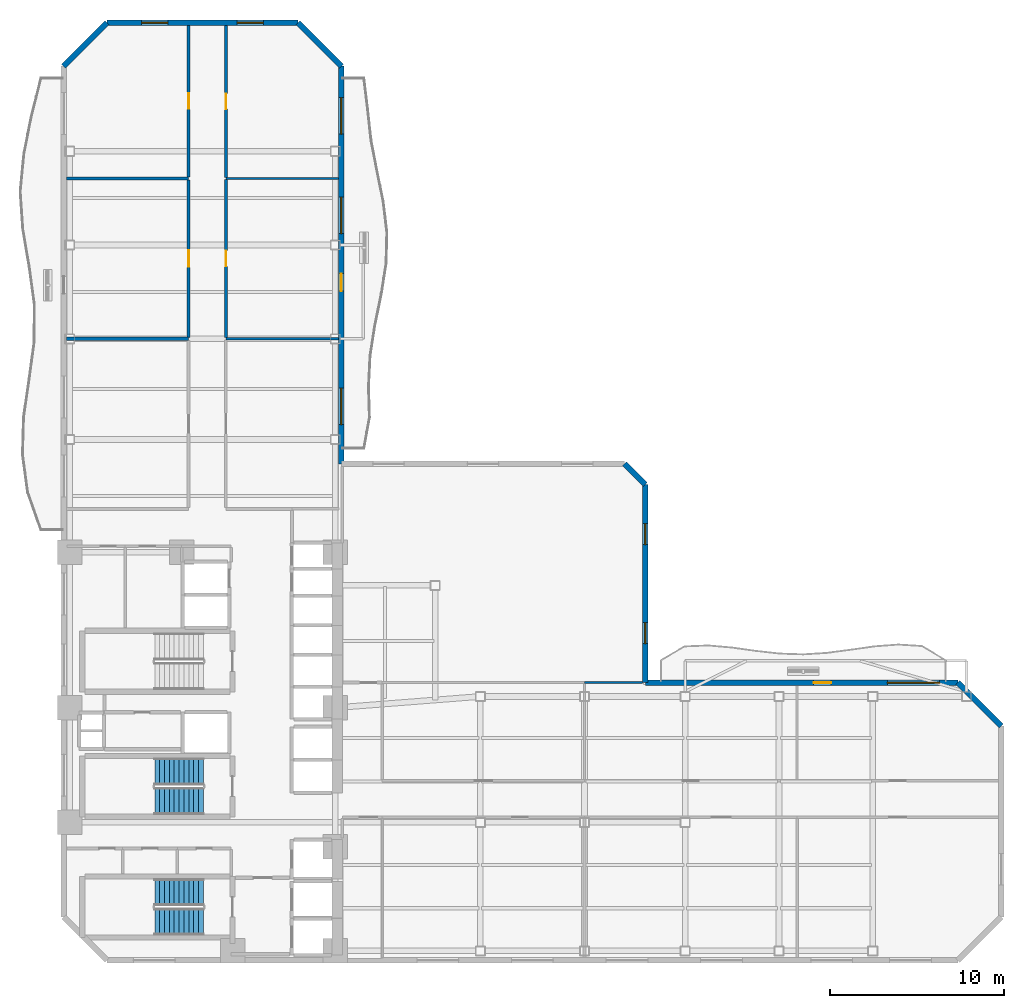
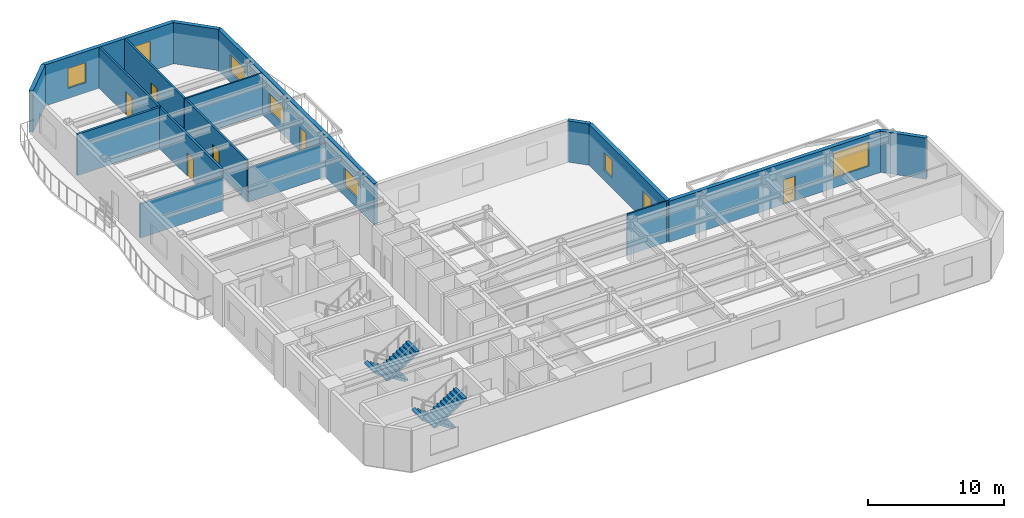
# One storey, part 6 of 10: 17 walls, 8 windows, 6 doors, 4 stair flights, 14 openings, 2 elements without a shape of their own.
"""IFC4 building model written with IfcOpenShell, lengths in metres."""

from ifc_helpers import new_model, si_unit, direction, frame, frame_2d, origin, place, context, subcontext, project, spatial, polyline, rectangle, outline, extrude, material, layer, layer_set, type_object, element, fill, aggregate, save


model = new_model("IFC4")

# Units and contexts
model_context = context("Model", 3, precision=1e-05, world=origin(), true_north=direction((0.0, 1.0)))
body_context = subcontext(model_context, "Body", "Model", "MODEL_VIEW")
ifc_project = project(units=[si_unit("LENGTHUNIT", "METRE"), si_unit("AREAUNIT", "SQUARE_METRE"), si_unit("VOLUMEUNIT", "CUBIC_METRE"), si_unit("PLANEANGLEUNIT", "RADIAN"), si_unit("MASSUNIT", "GRAM", prefix="KILO")], contexts=[model_context])

# Site, building, storey
site_placement = place(None, origin())
site = spatial("IfcSite", under=ifc_project, at=site_placement, CompositionType="ELEMENT")
building_placement = place(site_placement, origin())
building = spatial("IfcBuilding", under=site, at=building_placement, Name="Mawjaban Terraces University", CompositionType="ELEMENT")
storey_placement = place(building_placement, frame((0.0, 0.0, 34.89990234375)))
storey = spatial("IfcBuildingStorey", under=building, at=storey_placement, Name="L07", CompositionType="ELEMENT", Elevation=34.89990234375)

# Walls
ifc_material_1 = material(Name="Acoustic masonry blockwork", Category="masonry")
ifc_layer_1 = layer(ifc_material_1, 0.179931640625)
ifc_layer_set_1 = layer_set([ifc_layer_1], Name="Acoustic masonry blockwork")
wall_type_1 = type_object("IfcWallType", Name="AcousticStudioWall_180", PredefinedType="PARTITIONING", material=ifc_layer_set_1)
wall_1_placement = place(storey_placement, frame((29.199951171875, 35.800048828125, 0.0), z_axis=(0.0, 0.0, 1.0), x_axis=(-1.0, 0.0, 0.0)))
element("IfcWall", 1, at=wall_1_placement, inside=storey, type_object=wall_type_1, Name="L07 Classroom 8 Partition 10", PredefinedType="PARTITIONING", context=body_context, shape_type="SweptSolid", body=[
    extrude(rectangle(XDim=7.044921875, YDim=0.179931640625, at=frame_2d((3.5224609375, 0.0))), origin(), (0.0, 0.0, 1.0), 3.05517578125),
])
wall_2_placement = place(storey_placement, frame((29.199951171875, 45.0400390625, 0.0), z_axis=(0.0, 0.0, 1.0), x_axis=(-1.0, 0.0, 0.0)))
element("IfcWall", 2, at=wall_2_placement, inside=storey, type_object=wall_type_1, Name="L07 Design Studio 10 Partition 11", PredefinedType="PARTITIONING", context=body_context, shape_type="SweptSolid", body=[
    extrude(rectangle(XDim=7.044921875, YDim=0.179931640625, at=frame_2d((3.5224609375, 0.0))), origin(), (0.0, 0.0, 1.0), 3.690185546875),
])

# Wall, opening, door
wall_3_placement = place(storey_placement, frame((29.199951171875, 44.955078125, 0.0), z_axis=(0.0, 0.0, 1.0), x_axis=(0.0, -1.0, 0.0)))
wall_3 = element("IfcWall", 3, at=wall_3_placement, inside=storey, type_object=wall_type_1, Name="L07 North Academic Spine Corridor Partition 34", PredefinedType="PARTITIONING", context=body_context, shape_type="SweptSolid", body=[
    extrude(rectangle(XDim=9.070068359375, YDim=0.179931640625, at=frame_2d((4.53515625, 0.0))), origin(), (0.0, 0.0, 1.0), 3.690185546875),
])
opening_1_placement = place(wall_3_placement, frame((4.06005859375, 0.0, 0.0)))
opening_1 = element("IfcOpeningElement", 4, at=opening_1_placement, cuts=wall_3, Name="Opening ID-095", PredefinedType="OPENING", context=body_context, shape_type="SweptSolid", body=[
    extrude(rectangle(XDim=0.949951171875, YDim=2.10009765625, at=frame_2d((0.47509765625, 1.050048828125))), frame((0.0, 0.099853515625, 0.0), z_axis=(0.0, -1.0, 0.0), x_axis=(1.0, 0.0, 0.0)), (0.0, 0.0, 1.0), 0.199951171875),
])
ifc_material_2 = material(Name="Powder-coated steel frame and solid acoustic timber leaf", Category="steel")
door_type_1 = type_object("IfcDoorType", Name="StudioDoor_950x2100", OperationType="NOTDEFINED", PredefinedType="DOOR", material=ifc_material_2)
door_1_placement = place(opening_1_placement, origin())
door_1 = element("IfcDoor", 5, at=door_1_placement, inside=storey, type_object=door_type_1, Name="L07 Design Studio 10 Door", OperationType="SINGLE_SWING_LEFT", OverallHeight=2.10009765625, OverallWidth=0.949951171875, PredefinedType="DOOR", context=body_context, shape_type="SweptSolid", body=[
    extrude(rectangle(XDim=0.949951171875, YDim=2.10009765625, at=frame_2d((0.47509765625, 1.050048828125))), frame((0.0, 0.02490234375, 0.0), z_axis=(0.0, -1.0, 0.0), x_axis=(1.0, 0.0, 0.0)), (0.0, 0.0, 1.0), 0.050048828125),
])
fill(opening_1, door_1)

ifc_material_3 = material(Name="Fire-rated gypsum board on steel stud", Category="steel")
ifc_layer_2 = layer(ifc_material_3, 0.159912109375)
ifc_layer_set_2 = layer_set([ifc_layer_2], Name="Fire-rated gypsum board on steel stud")
wall_type_2 = type_object("IfcWallType", Name="CorridorPartition_160", PredefinedType="PARTITIONING", material=ifc_layer_set_2)
wall_4_placement = place(storey_placement, frame((29.199951171875, 53.844970703125, 0.0), z_axis=(0.0, 0.0, 1.0), x_axis=(0.0, -1.0, 0.0)))
wall_4 = element("IfcWall", 6, at=wall_4_placement, inside=storey, type_object=wall_type_2, Name="L07 North Academic Spine Corridor Partition 35", PredefinedType="PARTITIONING", context=body_context, shape_type="SweptSolid", body=[
    extrude(rectangle(XDim=8.719970703125, YDim=0.159912109375, at=frame_2d((4.35986328125, 0.0))), origin(), (0.0, 0.0, 1.0), 3.690185546875),
])
opening_2_placement = place(wall_4_placement, frame((3.909912109375, 0.0, 0.0)))
opening_2 = element("IfcOpeningElement", 7, at=opening_2_placement, cuts=wall_4, Name="Opening ID-090", PredefinedType="OPENING", context=body_context, shape_type="SweptSolid", body=[
    extrude(rectangle(XDim=0.89990234375, YDim=2.10009765625, at=frame_2d((0.449951171875, 1.050048828125))), frame((0.0, 0.08984375, 0.0), z_axis=(0.0, -1.0, 0.0), x_axis=(1.0, 0.0, 0.0)), (0.0, 0.0, 1.0), 0.179931640625),
])
door_type_2 = type_object("IfcDoorType", Name="OfficeDoor_900x2100", OperationType="NOTDEFINED", PredefinedType="DOOR", material=ifc_material_2)
door_2_placement = place(opening_2_placement, origin())
door_2 = element("IfcDoor", 8, at=door_2_placement, inside=storey, type_object=door_type_2, Name="L07 Quiet Reading Room 12 Door", OperationType="SINGLE_SWING_LEFT", OverallHeight=2.10009765625, OverallWidth=0.89990234375, PredefinedType="DOOR", context=body_context, shape_type="SweptSolid", body=[
    extrude(rectangle(XDim=0.89990234375, YDim=2.10009765625, at=frame_2d((0.449951171875, 1.050048828125))), frame((0.0, 0.02490234375, 0.0), z_axis=(0.0, -1.0, 0.0), x_axis=(1.0, 0.0, 0.0)), (0.0, 0.0, 1.0), 0.050048828125),
])
fill(opening_2, door_2)

wall_5_placement = place(storey_placement, frame((31.35009765625, 35.866943359375, 0.0), z_axis=(0.0, 0.0, 1.0), x_axis=(0.0, 1.0, 0.0)))
wall_5 = element("IfcWall", 9, at=wall_5_placement, inside=storey, type_object=wall_type_2, Name="L07 North Academic Spine Corridor Partition 37", PredefinedType="PARTITIONING", context=body_context, shape_type="SweptSolid", body=[
    extrude(rectangle(XDim=9.115966796875, YDim=0.159912109375, at=frame_2d((4.55810546875, 0.0))), origin(), (0.0, 0.0, 1.0), 3.690185546875),
])
opening_3_placement = place(wall_5_placement, frame((4.10791015625, 0.0, 0.0)))
opening_3 = element("IfcOpeningElement", 10, at=opening_3_placement, cuts=wall_5, Name="Opening ID-090", PredefinedType="OPENING", context=body_context, shape_type="SweptSolid", body=[
    extrude(rectangle(XDim=0.89990234375, YDim=2.10009765625, at=frame_2d((0.449951171875, 1.050048828125))), frame((0.0, 0.08984375, 0.0), z_axis=(0.0, -1.0, 0.0), x_axis=(1.0, 0.0, 0.0)), (0.0, 0.0, 1.0), 0.179931640625),
])
door_3_placement = place(opening_3_placement, origin())
door_3 = element("IfcDoor", 11, at=door_3_placement, inside=storey, type_object=door_type_2, Name="L07 Faculty Office 11 Door", OperationType="SINGLE_SWING_RIGHT", OverallHeight=2.10009765625, OverallWidth=0.89990234375, PredefinedType="DOOR", context=body_context, shape_type="SweptSolid", body=[
    extrude(rectangle(XDim=0.89990234375, YDim=2.10009765625, at=frame_2d((0.449951171875, 1.050048828125))), frame((0.0, 0.02490234375, 0.0), z_axis=(0.0, -1.0, 0.0), x_axis=(1.0, 0.0, 0.0)), (0.0, 0.0, 1.0), 0.050048828125),
])
fill(opening_3, door_3)

wall_6_placement = place(storey_placement, frame((31.35009765625, 45.096923828125, 0.0), z_axis=(0.0, 0.0, 1.0), x_axis=(0.0, 1.0, 0.0)))
wall_6 = element("IfcWall", 12, at=wall_6_placement, inside=storey, type_object=wall_type_2, Name="L07 North Academic Spine Corridor Partition 38", PredefinedType="PARTITIONING", context=body_context, shape_type="SweptSolid", body=[
    extrude(rectangle(XDim=8.748046875, YDim=0.159912109375, at=frame_2d((4.3740234375, 0.0))), origin(), (0.0, 0.0, 1.0), 3.690185546875),
])
opening_4_placement = place(wall_6_placement, frame((3.924072265625, 0.0, 0.0)))
opening_4 = element("IfcOpeningElement", 13, at=opening_4_placement, cuts=wall_6, Name="Opening ID-090", PredefinedType="OPENING", context=body_context, shape_type="SweptSolid", body=[
    extrude(rectangle(XDim=0.89990234375, YDim=2.10009765625, at=frame_2d((0.449951171875, 1.050048828125))), frame((0.0, 0.08984375, 0.0), z_axis=(0.0, -1.0, 0.0), x_axis=(1.0, 0.0, 0.0)), (0.0, 0.0, 1.0), 0.179931640625),
])
door_4_placement = place(opening_4_placement, origin())
door_4 = element("IfcDoor", 14, at=door_4_placement, inside=storey, type_object=door_type_2, Name="L07 Collaborative Study Room 13 Door", OperationType="SINGLE_SWING_RIGHT", OverallHeight=2.10009765625, OverallWidth=0.89990234375, PredefinedType="DOOR", context=body_context, shape_type="SweptSolid", body=[
    extrude(rectangle(XDim=0.89990234375, YDim=2.10009765625, at=frame_2d((0.449951171875, 1.050048828125))), frame((0.0, 0.02490234375, 0.0), z_axis=(0.0, -1.0, 0.0), x_axis=(1.0, 0.0, 0.0)), (0.0, 0.0, 1.0), 0.050048828125),
])
fill(opening_4, door_4)

# Wall
ifc_material_4 = material(Name="Insulated terracotta rainscreen on concrete backup C40/50", Category="masonry")
ifc_layer_3 = layer(ifc_material_4, 0.320068359375)
ifc_layer_set_3 = layer_set([ifc_layer_3], Name="Insulated terracotta rainscreen on concrete backup C40/50")
wall_type_3 = type_object("IfcWallType", Name="ExtTerracottaWall_320", PredefinedType="SOLIDWALL", material=ifc_layer_set_3)
wall_7_placement = place(storey_placement, frame((76.0, 13.5, 0.0), z_axis=(0.0, 0.0, 1.0), x_axis=(-0.707106781187, 0.707106781187, 0.0)))
element("IfcWall", 15, at=wall_7_placement, inside=storey, type_object=wall_type_3, Name="L07 Exterior Terracotta Wall 4", PredefinedType="SOLIDWALL", context=body_context, shape_type="SweptSolid", body=[
    extrude(rectangle(XDim=3.53564453125, YDim=0.320068359375, at=frame_2d((1.767822265625, 0.0))), origin(), (0.0, 0.0, 1.0), 3.690185546875),
])

# Wall, openings, door, window
wall_8_placement = place(storey_placement, frame((73.5, 16.0, 0.0), z_axis=(0.0, 0.0, 1.0), x_axis=(-1.0, 0.0, 0.0)))
wall_8 = element("IfcWall", 16, at=wall_8_placement, inside=storey, type_object=wall_type_3, Name="L07 Exterior Terracotta Wall 5", PredefinedType="SOLIDWALL", context=body_context, shape_type="SweptSolid", body=[
    extrude(rectangle(XDim=18.0, YDim=0.320068359375, at=frame_2d((9.0, 0.0))), origin(), (0.0, 0.0, 1.0), 3.690185546875),
])
opening_5_placement = place(wall_8_placement, frame((7.300048828125, 0.0, 0.0)))
opening_5 = element("IfcOpeningElement", 17, at=opening_5_placement, cuts=wall_8, Name="Opening BD-100", PredefinedType="OPENING", context=body_context, shape_type="SweptSolid", body=[
    extrude(rectangle(XDim=1.0, YDim=2.199951171875, at=frame_2d((0.5, 1.10009765625))), frame((0.0, 0.169921875, 0.0), z_axis=(0.0, -1.0, 0.0), x_axis=(1.0, 0.0, 0.0)), (0.0, 0.0, 1.0), 0.340087890625),
])
opening_6_placement = place(wall_8_placement, frame((1.050048828125, 0.0, 0.89990234375)))
opening_6 = element("IfcOpeningElement", 18, at=opening_6_placement, cuts=wall_8, Name="Opening W-12", PredefinedType="OPENING", context=body_context, shape_type="SweptSolid", body=[
    extrude(rectangle(XDim=3.0, YDim=2.199951171875, at=frame_2d((1.5, 1.10009765625))), frame((0.0, 0.169921875, 0.0), z_axis=(0.0, -1.0, 0.0), x_axis=(1.0, 0.0, 0.0)), (0.0, 0.0, 1.0), 0.340087890625),
])
ifc_material_5 = material(Name="Thermally broken anodised aluminium and laminated safety glass", Category="aluminium")
door_type_3 = type_object("IfcDoorType", Name="BalconyGlazedDoor_1000x2200", OperationType="NOTDEFINED", PredefinedType="DOOR", material=ifc_material_5)
door_5_placement = place(opening_5_placement, origin())
door_5 = element("IfcDoor", 19, at=door_5_placement, inside=storey, type_object=door_type_3, Name="L07 Balcony Access Door inner_north", OperationType="SINGLE_SWING_RIGHT", OverallHeight=2.199951171875, OverallWidth=1.0, PredefinedType="DOOR", context=body_context, shape_type="SweptSolid", body=[
    extrude(rectangle(XDim=1.0, YDim=2.199951171875, at=frame_2d((0.5, 1.10009765625))), frame((0.0, 0.02490234375, 0.0), z_axis=(0.0, -1.0, 0.0), x_axis=(1.0, 0.0, 0.0)), (0.0, 0.0, 1.0), 0.050048828125),
])
fill(opening_5, door_5)
ifc_material_6 = material(Name="Low-E solar-control double glazing in thermally broken aluminium frame", Category="aluminium")
window_type_1 = type_object("IfcWindowType", Name="Win_3000x2200", PartitioningType="SINGLE_PANEL", PredefinedType="WINDOW", material=ifc_material_6)
window_1_placement = place(opening_6_placement, origin())
window_1 = element("IfcWindow", 20, at=window_1_placement, inside=storey, type_object=window_type_1, Name="L07 Facade Window 5.1", OverallHeight=2.199951171875, OverallWidth=3.0, PartitioningType="SINGLE_PANEL", PredefinedType="WINDOW", context=body_context, shape_type="SweptSolid", body=[
    extrude(rectangle(XDim=3.0, YDim=2.199951171875, at=frame_2d((1.5, 1.10009765625))), frame((0.0, 0.030029296875, 0.0), z_axis=(0.0, -1.0, 0.0), x_axis=(1.0, 0.0, 0.0)), (0.0, 0.0, 1.0), 0.06005859375),
])
fill(opening_6, window_1)

# Wall, openings, windows
wall_9_placement = place(storey_placement, frame((55.5, 16.0, 0.0), z_axis=(0.0, 0.0, 1.0), x_axis=(0.0, 1.0, 0.0)))
wall_9 = element("IfcWall", 21, at=wall_9_placement, inside=storey, type_object=wall_type_3, Name="L07 Exterior Terracotta Wall 6", PredefinedType="SOLIDWALL", context=body_context, shape_type="SweptSolid", body=[
    extrude(rectangle(XDim=11.39990234375, YDim=0.320068359375, at=frame_2d((5.699951171875, 0.0))), origin(), (0.0, 0.0, 1.0), 3.690185546875),
])
opening_7_placement = place(wall_9_placement, frame((2.25, 0.0, 0.89990234375)))
opening_7 = element("IfcOpeningElement", 22, at=opening_7_placement, cuts=wall_9, Name="Opening W-01", PredefinedType="OPENING", context=body_context, shape_type="SweptSolid", body=[
    extrude(rectangle(XDim=1.199951171875, YDim=1.60009765625, at=frame_2d((0.60009765625, 0.800048828125))), frame((0.0, 0.169921875, 0.0), z_axis=(0.0, -1.0, 0.0), x_axis=(1.0, 0.0, 0.0)), (0.0, 0.0, 1.0), 0.340087890625),
])
opening_8_placement = place(wall_9_placement, frame((7.949951171875, 0.0, 0.89990234375)))
opening_8 = element("IfcOpeningElement", 23, at=opening_8_placement, cuts=wall_9, Name="Opening W-01", PredefinedType="OPENING", context=body_context, shape_type="SweptSolid", body=[
    extrude(rectangle(XDim=1.199951171875, YDim=1.60009765625, at=frame_2d((0.60009765625, 0.800048828125))), frame((0.0, 0.169921875, 0.0), z_axis=(0.0, -1.0, 0.0), x_axis=(1.0, 0.0, 0.0)), (0.0, 0.0, 1.0), 0.340087890625),
])
window_type_2 = type_object("IfcWindowType", Name="Win_1200x1600", PartitioningType="SINGLE_PANEL", PredefinedType="WINDOW", material=ifc_material_6)
window_2_placement = place(opening_7_placement, origin())
window_2 = element("IfcWindow", 24, at=window_2_placement, inside=storey, type_object=window_type_2, Name="L07 Facade Window 6.1", OverallHeight=1.60009765625, OverallWidth=1.199951171875, PartitioningType="SINGLE_PANEL", PredefinedType="WINDOW", context=body_context, shape_type="SweptSolid", body=[
    extrude(rectangle(XDim=1.199951171875, YDim=1.60009765625, at=frame_2d((0.60009765625, 0.800048828125))), frame((0.0, 0.030029296875, 0.0), z_axis=(0.0, -1.0, 0.0), x_axis=(1.0, 0.0, 0.0)), (0.0, 0.0, 1.0), 0.06005859375),
])
fill(opening_7, window_2)
window_3_placement = place(opening_8_placement, origin())
window_3 = element("IfcWindow", 25, at=window_3_placement, inside=storey, type_object=window_type_2, Name="L07 Facade Window 6.2", OverallHeight=1.60009765625, OverallWidth=1.199951171875, PartitioningType="SINGLE_PANEL", PredefinedType="WINDOW", context=body_context, shape_type="SweptSolid", body=[
    extrude(rectangle(XDim=1.199951171875, YDim=1.60009765625, at=frame_2d((0.60009765625, 0.800048828125))), frame((0.0, 0.030029296875, 0.0), z_axis=(0.0, -1.0, 0.0), x_axis=(1.0, 0.0, 0.0)), (0.0, 0.0, 1.0), 0.06005859375),
])
fill(opening_8, window_3)

# Wall
wall_10_placement = place(storey_placement, frame((55.5, 27.39990234375, 0.0), z_axis=(0.0, 0.0, 1.0), x_axis=(-0.707034851297, 0.707178703759, 0.0)))
element("IfcWall", 26, at=wall_10_placement, inside=storey, type_object=wall_type_3, Name="L07 Exterior Terracotta Wall 7", PredefinedType="SOLIDWALL", context=body_context, shape_type="SweptSolid", body=[
    extrude(rectangle(XDim=1.697265625, YDim=0.320068359375, at=frame_2d((0.8486328125, 0.0))), origin(), (0.0, 0.0, 1.0), 3.690185546875),
])

# Wall, openings, door, windows
wall_11_placement = place(storey_placement, frame((38.0, 28.60009765625, 0.0), z_axis=(0.0, 0.0, 1.0), x_axis=(0.0, 1.0, 0.0)))
wall_11 = element("IfcWall", 27, at=wall_11_placement, inside=storey, type_object=wall_type_3, Name="L07 Exterior Terracotta Wall 9", PredefinedType="SOLIDWALL", context=body_context, shape_type="SweptSolid", body=[
    extrude(rectangle(XDim=22.89990234375, YDim=0.320068359375, at=frame_2d((11.449951171875, 0.0))), origin(), (0.0, 0.0, 1.0), 3.690185546875),
])
opening_9_placement = place(wall_11_placement, frame((9.949951171875, 0.0, 0.0)))
opening_9 = element("IfcOpeningElement", 28, at=opening_9_placement, cuts=wall_11, Name="Opening BD-100", PredefinedType="OPENING", context=body_context, shape_type="SweptSolid", body=[
    extrude(rectangle(XDim=1.0, YDim=2.199951171875, at=frame_2d((0.5, 1.10009765625))), frame((0.0, 0.169921875, 0.0), z_axis=(0.0, -1.0, 0.0), x_axis=(1.0, 0.0, 0.0)), (0.0, 0.0, 1.0), 0.340087890625),
])
opening_10_placement = place(wall_11_placement, frame((2.261962890625, 0.0, 0.89990234375)))
opening_10 = element("IfcOpeningElement", 29, at=opening_10_placement, cuts=wall_11, Name="Opening W-04", PredefinedType="OPENING", context=body_context, shape_type="SweptSolid", body=[
    extrude(rectangle(XDim=2.10009765625, YDim=1.60009765625, at=frame_2d((1.050048828125, 0.800048828125))), frame((0.0, 0.169921875, 0.0), z_axis=(0.0, -1.0, 0.0), x_axis=(1.0, 0.0, 0.0)), (0.0, 0.0, 1.0), 0.340087890625),
])
opening_11_placement = place(wall_11_placement, frame((13.261962890625, 0.0, 0.89990234375)))
opening_11 = element("IfcOpeningElement", 30, at=opening_11_placement, cuts=wall_11, Name="Opening W-04", PredefinedType="OPENING", context=body_context, shape_type="SweptSolid", body=[
    extrude(rectangle(XDim=2.10009765625, YDim=1.60009765625, at=frame_2d((1.050048828125, 0.800048828125))), frame((0.0, 0.169921875, 0.0), z_axis=(0.0, -1.0, 0.0), x_axis=(1.0, 0.0, 0.0)), (0.0, 0.0, 1.0), 0.340087890625),
])
opening_12_placement = place(wall_11_placement, frame((18.987060546875, 0.0, 0.89990234375)))
opening_12 = element("IfcOpeningElement", 31, at=opening_12_placement, cuts=wall_11, Name="Opening W-04", PredefinedType="OPENING", context=body_context, shape_type="SweptSolid", body=[
    extrude(rectangle(XDim=2.10009765625, YDim=1.60009765625, at=frame_2d((1.050048828125, 0.800048828125))), frame((0.0, 0.169921875, 0.0), z_axis=(0.0, -1.0, 0.0), x_axis=(1.0, 0.0, 0.0)), (0.0, 0.0, 1.0), 0.340087890625),
])
door_6_placement = place(opening_9_placement, origin())
door_6 = element("IfcDoor", 32, at=door_6_placement, inside=storey, type_object=door_type_3, Name="L07 Balcony Access Door inner_east", OperationType="SINGLE_SWING_RIGHT", OverallHeight=2.199951171875, OverallWidth=1.0, PredefinedType="DOOR", context=body_context, shape_type="SweptSolid", body=[
    extrude(rectangle(XDim=1.0, YDim=2.199951171875, at=frame_2d((0.5, 1.10009765625))), frame((0.0, 0.02490234375, 0.0), z_axis=(0.0, -1.0, 0.0), x_axis=(1.0, 0.0, 0.0)), (0.0, 0.0, 1.0), 0.050048828125),
])
fill(opening_9, door_6)
window_type_3 = type_object("IfcWindowType", Name="Win_2100x1600", PartitioningType="SINGLE_PANEL", PredefinedType="WINDOW", material=ifc_material_6)
window_4_placement = place(opening_10_placement, origin())
window_4 = element("IfcWindow", 33, at=window_4_placement, inside=storey, type_object=window_type_3, Name="L07 Facade Window 9.1", OverallHeight=1.60009765625, OverallWidth=2.10009765625, PartitioningType="SINGLE_PANEL", PredefinedType="WINDOW", context=body_context, shape_type="SweptSolid", body=[
    extrude(rectangle(XDim=2.10009765625, YDim=1.60009765625, at=frame_2d((1.050048828125, 0.800048828125))), frame((0.0, 0.030029296875, 0.0), z_axis=(0.0, -1.0, 0.0), x_axis=(1.0, 0.0, 0.0)), (0.0, 0.0, 1.0), 0.06005859375),
])
fill(opening_10, window_4)
window_5_placement = place(opening_11_placement, origin())
window_5 = element("IfcWindow", 34, at=window_5_placement, inside=storey, type_object=window_type_3, Name="L07 Facade Window 9.3", OverallHeight=1.60009765625, OverallWidth=2.10009765625, PartitioningType="SINGLE_PANEL", PredefinedType="WINDOW", context=body_context, shape_type="SweptSolid", body=[
    extrude(rectangle(XDim=2.10009765625, YDim=1.60009765625, at=frame_2d((1.050048828125, 0.800048828125))), frame((0.0, 0.030029296875, 0.0), z_axis=(0.0, -1.0, 0.0), x_axis=(1.0, 0.0, 0.0)), (0.0, 0.0, 1.0), 0.06005859375),
])
fill(opening_11, window_5)
window_6_placement = place(opening_12_placement, origin())
window_6 = element("IfcWindow", 35, at=window_6_placement, inside=storey, type_object=window_type_3, Name="L07 Facade Window 9.4", OverallHeight=1.60009765625, OverallWidth=2.10009765625, PartitioningType="SINGLE_PANEL", PredefinedType="WINDOW", context=body_context, shape_type="SweptSolid", body=[
    extrude(rectangle(XDim=2.10009765625, YDim=1.60009765625, at=frame_2d((1.050048828125, 0.800048828125))), frame((0.0, 0.030029296875, 0.0), z_axis=(0.0, -1.0, 0.0), x_axis=(1.0, 0.0, 0.0)), (0.0, 0.0, 1.0), 0.06005859375),
])
fill(opening_12, window_6)

# Wall
wall_12_placement = place(storey_placement, frame((38.0, 51.5, 0.0), z_axis=(0.0, 0.0, 1.0), x_axis=(-0.707106781187, 0.707106781187, 0.0)))
element("IfcWall", 36, at=wall_12_placement, inside=storey, type_object=wall_type_3, Name="L07 Exterior Terracotta Wall 10", PredefinedType="SOLIDWALL", context=body_context, shape_type="SweptSolid", body=[
    extrude(rectangle(XDim=3.53564453125, YDim=0.320068359375, at=frame_2d((1.767822265625, 0.0))), origin(), (0.0, 0.0, 1.0), 3.690185546875),
])

# Wall, openings, windows
wall_13_placement = place(storey_placement, frame((35.5, 54.0, 0.0), z_axis=(0.0, 0.0, 1.0), x_axis=(-1.0, 0.0, 0.0)))
wall_13 = element("IfcWall", 37, at=wall_13_placement, inside=storey, type_object=wall_type_3, Name="L07 Exterior Terracotta Wall 11", PredefinedType="SOLIDWALL", context=body_context, shape_type="SweptSolid", body=[
    extrude(rectangle(XDim=11.0, YDim=0.320068359375, at=frame_2d((5.5, 0.0))), origin(), (0.0, 0.0, 1.0), 3.690185546875),
])
opening_13_placement = place(wall_13_placement, frame((2.0, 0.0, 0.89990234375)))
opening_13 = element("IfcOpeningElement", 38, at=opening_13_placement, cuts=wall_13, Name="Opening W-06", PredefinedType="OPENING", context=body_context, shape_type="SweptSolid", body=[
    extrude(rectangle(XDim=1.5, YDim=1.800048828125, at=frame_2d((0.75, 0.89990234375))), frame((0.0, 0.169921875, 0.0), z_axis=(0.0, -1.0, 0.0), x_axis=(1.0, 0.0, 0.0)), (0.0, 0.0, 1.0), 0.340087890625),
])
opening_14_placement = place(wall_13_placement, frame((7.5, 0.0, 0.89990234375)))
opening_14 = element("IfcOpeningElement", 39, at=opening_14_placement, cuts=wall_13, Name="Opening W-06", PredefinedType="OPENING", context=body_context, shape_type="SweptSolid", body=[
    extrude(rectangle(XDim=1.5, YDim=1.800048828125, at=frame_2d((0.75, 0.89990234375))), frame((0.0, 0.169921875, 0.0), z_axis=(0.0, -1.0, 0.0), x_axis=(1.0, 0.0, 0.0)), (0.0, 0.0, 1.0), 0.340087890625),
])
window_type_4 = type_object("IfcWindowType", Name="Win_1500x1800", PartitioningType="SINGLE_PANEL", PredefinedType="WINDOW", material=ifc_material_6)
window_7_placement = place(opening_13_placement, origin())
window_7 = element("IfcWindow", 40, at=window_7_placement, inside=storey, type_object=window_type_4, Name="L07 Facade Window 11.1", OverallHeight=1.800048828125, OverallWidth=1.5, PartitioningType="SINGLE_PANEL", PredefinedType="WINDOW", context=body_context, shape_type="SweptSolid", body=[
    extrude(rectangle(XDim=1.5, YDim=1.800048828125, at=frame_2d((0.75, 0.89990234375))), frame((0.0, 0.030029296875, 0.0), z_axis=(0.0, -1.0, 0.0), x_axis=(1.0, 0.0, 0.0)), (0.0, 0.0, 1.0), 0.06005859375),
])
fill(opening_13, window_7)
window_8_placement = place(opening_14_placement, origin())
window_8 = element("IfcWindow", 41, at=window_8_placement, inside=storey, type_object=window_type_4, Name="L07 Facade Window 11.2", OverallHeight=1.800048828125, OverallWidth=1.5, PartitioningType="SINGLE_PANEL", PredefinedType="WINDOW", context=body_context, shape_type="SweptSolid", body=[
    extrude(rectangle(XDim=1.5, YDim=1.800048828125, at=frame_2d((0.75, 0.89990234375))), frame((0.0, 0.030029296875, 0.0), z_axis=(0.0, -1.0, 0.0), x_axis=(1.0, 0.0, 0.0)), (0.0, 0.0, 1.0), 0.06005859375),
])
fill(opening_14, window_8)

# Walls
wall_14_placement = place(storey_placement, frame((24.5, 54.0, 0.0), z_axis=(0.0, 0.0, 1.0), x_axis=(-0.707106781187, -0.707106781187, 0.0)))
element("IfcWall", 42, at=wall_14_placement, inside=storey, type_object=wall_type_3, Name="L07 Exterior Terracotta Wall 12", PredefinedType="SOLIDWALL", context=body_context, shape_type="SweptSolid", body=[
    extrude(rectangle(XDim=3.53564453125, YDim=0.320068359375, at=frame_2d((1.767822265625, 0.0))), origin(), (0.0, 0.0, 1.0), 3.690185546875),
])
ifc_material_7 = material(Name="Moisture-resistant gypsum board on steel stud", Category="steel")
ifc_layer_4 = layer(ifc_material_7, 0.14501953125)
ifc_layer_set_4 = layer_set([ifc_layer_4], Name="Moisture-resistant gypsum board on steel stud")
wall_type_4 = type_object("IfcWallType", Name="LabPartition_145", PredefinedType="PARTITIONING", material=ifc_layer_set_4)
wall_15_placement = place(storey_placement, frame((37.844970703125, 35.800048828125, 0.0), z_axis=(0.0, 0.0, 1.0), x_axis=(-1.0, 0.0, 0.0)))
element("IfcWall", 43, at=wall_15_placement, inside=storey, type_object=wall_type_4, Name="L07 Computational Laboratory 9 Partition 16", PredefinedType="PARTITIONING", context=body_context, shape_type="SweptSolid", body=[
    extrude(rectangle(XDim=6.494873046875, YDim=0.14501953125, at=frame_2d((3.24755859375, 0.0))), origin(), (0.0, 0.0, 1.0), 3.05517578125),
])
ifc_material_8 = material(Name="Gypsum plasterboard on steel stud", Category="steel")
ifc_layer_5 = layer(ifc_material_8, 0.125)
ifc_layer_set_5 = layer_set([ifc_layer_5], Name="Gypsum plasterboard on steel stud")
wall_type_5 = type_object("IfcWallType", Name="OfficePartition_125", PredefinedType="PARTITIONING", material=ifc_layer_set_5)
wall_16_placement = place(storey_placement, frame((37.844970703125, 45.0400390625, 0.0), z_axis=(0.0, 0.0, 1.0), x_axis=(-1.0, 0.0, 0.0)))
element("IfcWall", 44, at=wall_16_placement, inside=storey, type_object=wall_type_5, Name="L07 Faculty Office 11 Partition 17", PredefinedType="PARTITIONING", context=body_context, shape_type="SweptSolid", body=[
    extrude(rectangle(XDim=6.494873046875, YDim=0.125, at=frame_2d((3.24755859375, 0.0))), origin(), (0.0, 0.0, 1.0), 3.690185546875),
])
wall_17_placement = place(storey_placement, frame((52.0, 16.0, 0.0), z_axis=(0.0, 0.0, 1.0), x_axis=(1.0, 0.0, 0.0)))
element("IfcWall", 45, at=wall_17_placement, inside=storey, type_object=wall_type_5, Name="L07 Terrace Collaborative Study Room Partition 23", PredefinedType="PARTITIONING", context=body_context, shape_type="SweptSolid", body=[
    extrude(rectangle(XDim=3.344970703125, YDim=0.125, at=frame_2d((1.67236328125, 0.0))), origin(), (0.0, 0.0, 1.0), 3.690185546875),
])

# Stair, stair flights
ifc_material_9 = material(Name="Concrete C40/50", Category="concrete")
stair_type = type_object("IfcStairType", Name="Stair_Core1550_H39", PredefinedType="HALF_TURN_STAIR", material=ifc_material_9)
stair_1_placement = place(storey_placement, origin())
stair_1 = element("IfcStair", 46, at=stair_1_placement, inside=storey, type_object=stair_type, Name="L07 Core Exit Stair 1", PredefinedType="HALF_TURN_STAIR")
stair_flight_type = type_object("IfcStairFlightType", Name="Flight_Core1550_H39", PredefinedType="STRAIGHT", material=ifc_material_9)
stair_flight_1_placement = place(storey_placement, frame((30.050048828125, 3.925048828125, 0.0), z_axis=(0.0, 0.0, 1.0), x_axis=(-1.0, 0.0, 0.0)))
stair_flight_1 = element("IfcStairFlight", 47, at=stair_flight_1_placement, type_object=stair_flight_type, Name="ST-1 flight 1", NumberOfRisers=11, NumberOfTreads=10, PredefinedType="STRAIGHT", RiserHeight=0.177272727, TreadLength=0.28, context=body_context, shape_type="SweptSolid", body=[
    extrude(outline(polyline([(0.0, 0.0), (0.0, 0.17724609375), (0.280029296875, 0.17724609375), (0.280029296875, 0.3544921875), (0.56005859375, 0.3544921875), (0.56005859375, 0.53173828125), (0.840087890625, 0.53173828125), (0.840087890625, 0.708984375), (1.1201171875, 0.708984375), (1.1201171875, 0.886474609375), (1.39990234375, 0.886474609375), (1.39990234375, 1.063720703125), (1.679931640625, 1.063720703125), (1.679931640625, 1.240966796875), (1.9599609375, 1.240966796875), (1.9599609375, 1.418212890625), (2.239990234375, 1.418212890625), (2.239990234375, 1.595458984375), (2.52001953125, 1.595458984375), (2.52001953125, 1.772705078125), (2.800048828125, 1.772705078125), (2.800048828125, 1.949951171875), (2.800048828125, 1.59521484375), (0.2802734375, 0.0), (0.0, 0.0)])), frame((0.0, 0.77490234375, 0.0), z_axis=(0.0, -1.0, 0.0), x_axis=(1.0, 0.0, 0.0)), (0.0, 0.0, 1.0), 1.550048828125),
])
stair_flight_2_placement = place(storey_placement, frame((27.25, 2.22509765625, 1.9501953125), z_axis=(0.0, 0.0, 1.0), x_axis=(1.0, 0.0, 0.0)))
stair_flight_2 = element("IfcStairFlight", 48, at=stair_flight_2_placement, type_object=stair_flight_type, Name="ST-1 flight 2", NumberOfRisers=11, NumberOfTreads=10, PredefinedType="STRAIGHT", RiserHeight=0.177272727, TreadLength=0.28, context=body_context, shape_type="SweptSolid", body=[
    extrude(outline(polyline([(0.0, 0.0), (0.0, 0.17724609375), (0.280029296875, 0.17724609375), (0.280029296875, 0.3544921875), (0.56005859375, 0.3544921875), (0.56005859375, 0.53173828125), (0.840087890625, 0.53173828125), (0.840087890625, 0.708984375), (1.1201171875, 0.708984375), (1.1201171875, 0.886474609375), (1.39990234375, 0.886474609375), (1.39990234375, 1.063720703125), (1.679931640625, 1.063720703125), (1.679931640625, 1.240966796875), (1.9599609375, 1.240966796875), (1.9599609375, 1.418212890625), (2.239990234375, 1.418212890625), (2.239990234375, 1.595458984375), (2.52001953125, 1.595458984375), (2.52001953125, 1.772705078125), (2.800048828125, 1.772705078125), (2.800048828125, 1.949951171875), (2.800048828125, 1.59521484375), (0.2802734375, 0.0), (0.0, 0.0)])), frame((0.0, 0.77490234375, 0.0), z_axis=(0.0, -1.0, 0.0), x_axis=(1.0, 0.0, 0.0)), (0.0, 0.0, 1.0), 1.550048828125),
])
aggregate(stair_1, [stair_flight_1, stair_flight_2])

stair_2_placement = place(storey_placement, origin())
stair_2 = element("IfcStair", 49, at=stair_2_placement, inside=storey, type_object=stair_type, Name="L07 Core Exit Stair 3", PredefinedType="HALF_TURN_STAIR")
stair_flight_3_placement = place(storey_placement, frame((30.050048828125, 10.875, 0.0), z_axis=(0.0, 0.0, 1.0), x_axis=(-1.0, 0.0, 0.0)))
stair_flight_3 = element("IfcStairFlight", 50, at=stair_flight_3_placement, type_object=stair_flight_type, Name="ST-3 flight 1", NumberOfRisers=11, NumberOfTreads=10, PredefinedType="STRAIGHT", RiserHeight=0.177272727, TreadLength=0.28, context=body_context, shape_type="SweptSolid", body=[
    extrude(outline(polyline([(0.0, 0.0), (0.0, 0.17724609375), (0.280029296875, 0.17724609375), (0.280029296875, 0.3544921875), (0.56005859375, 0.3544921875), (0.56005859375, 0.53173828125), (0.840087890625, 0.53173828125), (0.840087890625, 0.708984375), (1.1201171875, 0.708984375), (1.1201171875, 0.886474609375), (1.39990234375, 0.886474609375), (1.39990234375, 1.063720703125), (1.679931640625, 1.063720703125), (1.679931640625, 1.240966796875), (1.9599609375, 1.240966796875), (1.9599609375, 1.418212890625), (2.239990234375, 1.418212890625), (2.239990234375, 1.595458984375), (2.52001953125, 1.595458984375), (2.52001953125, 1.772705078125), (2.800048828125, 1.772705078125), (2.800048828125, 1.949951171875), (2.800048828125, 1.59521484375), (0.2802734375, 0.0), (0.0, 0.0)])), frame((0.0, 0.77490234375, 0.0), z_axis=(0.0, -1.0, 0.0), x_axis=(1.0, 0.0, 0.0)), (0.0, 0.0, 1.0), 1.550048828125),
])
stair_flight_4_placement = place(storey_placement, frame((27.25, 9.175048828125, 1.9501953125), z_axis=(0.0, 0.0, 1.0), x_axis=(1.0, 0.0, 0.0)))
stair_flight_4 = element("IfcStairFlight", 51, at=stair_flight_4_placement, type_object=stair_flight_type, Name="ST-3 flight 2", NumberOfRisers=11, NumberOfTreads=10, PredefinedType="STRAIGHT", RiserHeight=0.177272727, TreadLength=0.28, context=body_context, shape_type="SweptSolid", body=[
    extrude(outline(polyline([(0.0, 0.0), (0.0, 0.17724609375), (0.280029296875, 0.17724609375), (0.280029296875, 0.3544921875), (0.56005859375, 0.3544921875), (0.56005859375, 0.53173828125), (0.840087890625, 0.53173828125), (0.840087890625, 0.708984375), (1.1201171875, 0.708984375), (1.1201171875, 0.886474609375), (1.39990234375, 0.886474609375), (1.39990234375, 1.063720703125), (1.679931640625, 1.063720703125), (1.679931640625, 1.240966796875), (1.9599609375, 1.240966796875), (1.9599609375, 1.418212890625), (2.239990234375, 1.418212890625), (2.239990234375, 1.595458984375), (2.52001953125, 1.595458984375), (2.52001953125, 1.772705078125), (2.800048828125, 1.772705078125), (2.800048828125, 1.949951171875), (2.800048828125, 1.59521484375), (0.2802734375, 0.0), (0.0, 0.0)])), frame((0.0, 0.77490234375, 0.0), z_axis=(0.0, -1.0, 0.0), x_axis=(1.0, 0.0, 0.0)), (0.0, 0.0, 1.0), 1.550048828125),
])
aggregate(stair_2, [stair_flight_3, stair_flight_4])

save(model, "model.ifc")
